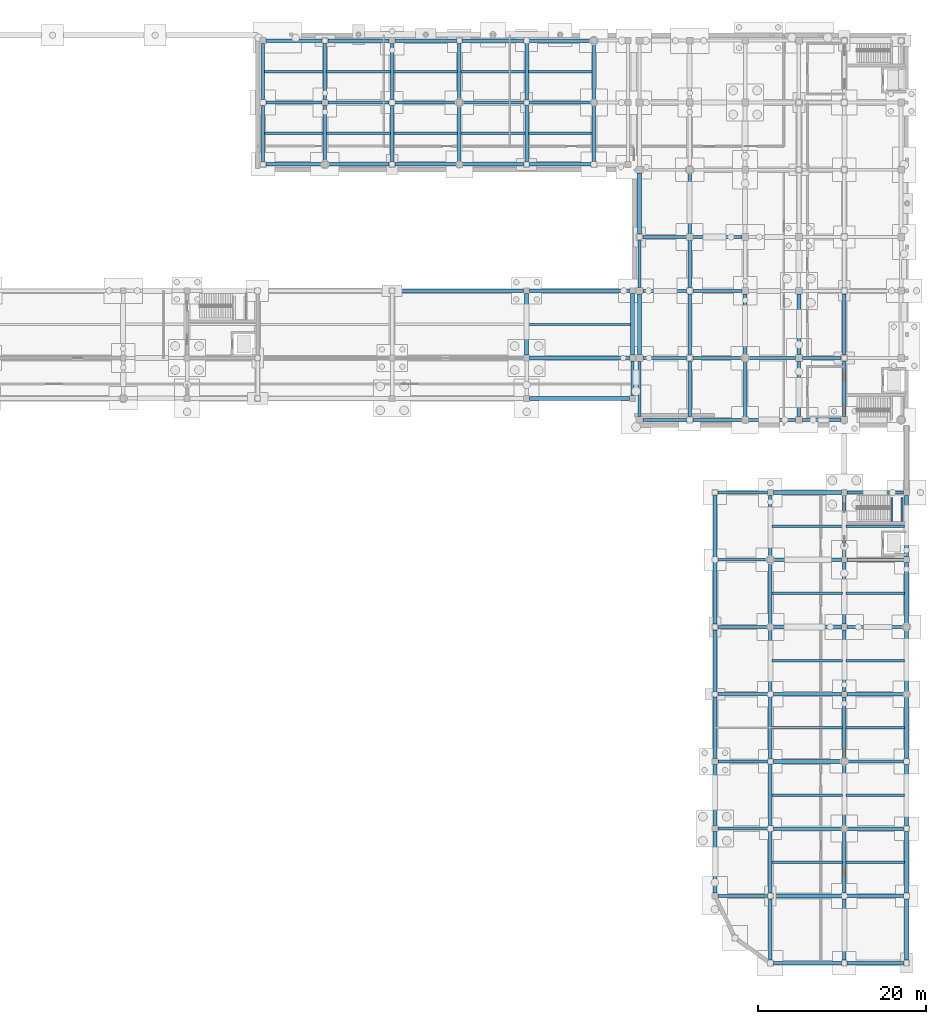
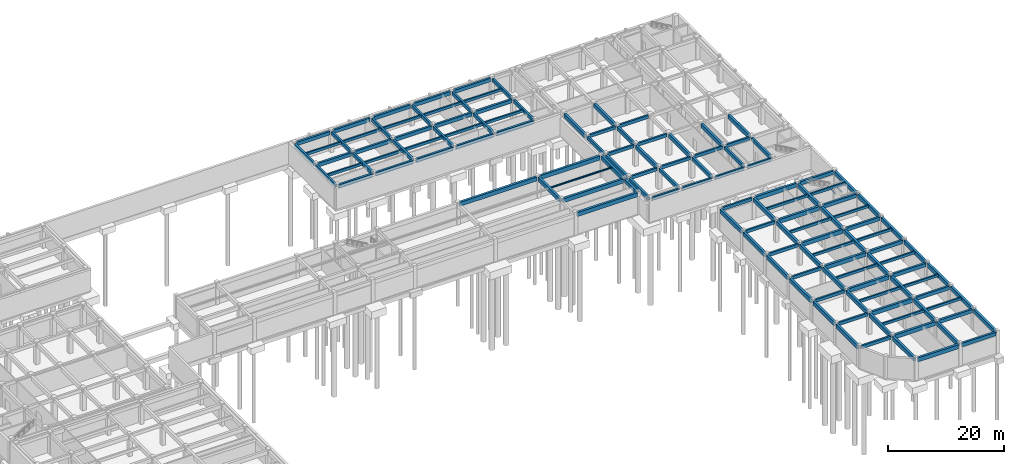
# One storey, part 18 of 35: 135 beams.
"""IFC4 building model written with IfcOpenShell, lengths in metres."""

import ifcopenshell
import ifcopenshell.guid

model = None  # the IFC model being written
_history = None  # IfcOwnerHistory: only IFC2X3 demands one
_inside = {}  # id of a spatial element -> (the spatial element, [elements in it])
_under = {}  # id of a project, library or spatial element -> (it, [spatial elements below it])
_declared = {}  # id of a project -> (the project, [libraries it declares])
_typed = {}  # id of a type object -> (the type object, [elements of that type])
_made_of = {}  # id of a material, layer set ... -> (it, [elements and type objects made of it])


def new_model(schema):
    """Start an empty IFC model of exactly this schema.

    Asked for "IFC4X3", IfcOpenShell would pick the latest addendum, in which some entities
    have other attributes; the version numbers below select the first issue.
    IFC2X3 requires an IfcOwnerHistory on every rooted entity: one is made here for all.
    """
    global model, _history
    if schema == "IFC4X3":
        model = ifcopenshell.file(schema_version=(4, 3, 0, 0))
    else:
        model = ifcopenshell.file(schema=schema)
    _inside.clear()
    _under.clear()
    _declared.clear()
    _typed.clear()
    _made_of.clear()
    _history = None
    if model.schema == "IFC2X3":
        org = make("IfcOrganization", Name="unknown")
        user = make(
            "IfcPersonAndOrganization",
            ThePerson=make("IfcPerson", FamilyName="unknown"),
            TheOrganization=org,
        )
        app = make(
            "IfcApplication",
            ApplicationDeveloper=org,
            Version="unknown",
            ApplicationFullName="unknown",
            ApplicationIdentifier="unknown",
        )
        _history = make(
            "IfcOwnerHistory",
            OwningUser=user,
            OwningApplication=app,
            ChangeAction="ADDED",
            CreationDate=0,
        )
    return model


def make(cls, **values):
    """One entity of the class cls with the attributes given. An attribute that is None is left unset."""
    return model.create_entity(
        cls, **{name: value for name, value in values.items() if value is not None}
    )


def rooted(cls, **values):
    """An entity with a GlobalId (a new one), such as an element, a storey or a relation."""
    return make(cls, GlobalId=ifcopenshell.guid.new(), OwnerHistory=_history, **values)


def si_unit(unit_type, name, prefix=None):
    """IfcSIUnit, for example si_unit("LENGTHUNIT", "METRE", prefix="MILLI")."""
    return make("IfcSIUnit", UnitType=unit_type, Prefix=prefix, Name=name)


def assignment(units):
    """IfcUnitAssignment: the units of a project."""
    return None if units is None else make("IfcUnitAssignment", Units=units)


def point(xyz):
    """IfcCartesianPoint."""
    return None if xyz is None else make("IfcCartesianPoint", Coordinates=xyz)


def direction(xyz):
    """IfcDirection."""
    return None if xyz is None else make("IfcDirection", DirectionRatios=xyz)


def frame(location, z_axis=None, x_axis=None):
    """IfcAxis2Placement3D, a coordinate frame: its origin and axes. An axis left out is left unset."""
    return make(
        "IfcAxis2Placement3D",
        Location=point(location),
        Axis=direction(z_axis),
        RefDirection=direction(x_axis),
    )


def frame_2d(location, x_axis=None):
    """IfcAxis2Placement2D, a coordinate frame in the plane: its origin and x axis."""
    return make(
        "IfcAxis2Placement2D", Location=point(location), RefDirection=direction(x_axis)
    )


def origin():
    """The frame at (0, 0, 0) with its axes left unset."""
    return frame((0.0, 0.0, 0.0))


def origin_2d():
    """The frame at (0, 0) in the plane with its x axis left unset."""
    return frame_2d((0.0, 0.0))


def place(relative_to, where):
    """IfcLocalPlacement: puts the frame where relative to a parent placement (None: the world)."""
    return make(
        "IfcLocalPlacement", PlacementRelTo=relative_to, RelativePlacement=where
    )


def context(
    kind, dimensions, precision=None, world=None, true_north=None, identifier=None
):
    """IfcGeometricRepresentationContext, for example the 3D "Model" context."""
    return make(
        "IfcGeometricRepresentationContext",
        ContextIdentifier=identifier,
        ContextType=kind,
        CoordinateSpaceDimension=dimensions,
        Precision=precision,
        WorldCoordinateSystem=world,
        TrueNorth=true_north,
    )


def subcontext(parent, identifier, kind, view, scale=None):
    """IfcGeometricRepresentationSubContext, for example "Body" below "Model"."""
    return make(
        "IfcGeometricRepresentationSubContext",
        ContextIdentifier=identifier,
        ContextType=kind,
        ParentContext=parent,
        TargetScale=scale,
        TargetView=view,
    )


def project(units=None, contexts=None):
    """IfcProject with its units and contexts."""
    return rooted(
        "IfcProject",
        Name="project",
        RepresentationContexts=contexts,
        UnitsInContext=assignment(units),
    )


def spatial(cls, under=None, at=None, **own):
    """A site, building, storey or space (cls), placed at a placement, below another one or the project."""
    s = rooted(cls, ObjectPlacement=at, **own)
    if under is not None:
        _under.setdefault(under.id(), (under, []))[1].append(s)
    return s


def profile(cls, at=None, kind="AREA", **sizes):
    """A parametric profile (cls). Its sizes go by their IFC names, for example OverallWidth=200.0."""
    return make(cls, ProfileType=kind, Position=at, **sizes)


def rectangle(**sizes):
    """IfcRectangleProfileDef."""
    return profile("IfcRectangleProfileDef", **sizes)


def i_section(**sizes):
    """IfcIShapeProfileDef."""
    return profile("IfcIShapeProfileDef", **sizes)


def extrude(swept, where, along, depth):
    """IfcExtrudedAreaSolid: the profile swept, set in the frame where, extruded along a direction by depth."""
    return make(
        "IfcExtrudedAreaSolid",
        SweptArea=swept,
        Position=where,
        ExtrudedDirection=direction(along),
        Depth=depth,
    )


def shape(context_of_items, identifier, shape_type, items):
    """IfcShapeRepresentation: the items that make up one representation, for example the "Body"."""
    return make(
        "IfcShapeRepresentation",
        ContextOfItems=context_of_items,
        RepresentationIdentifier=identifier,
        RepresentationType=shape_type,
        Items=items,
    )


def material(Name=None, Category=None):
    """IfcMaterial."""
    return make("IfcMaterial", Name=Name, Category=Category)


def material_profile(
    of_material, cross_section, Name=None, Category=None, Priority=None
):
    """IfcMaterialProfile: a cross section and its material."""
    return make(
        "IfcMaterialProfile",
        Name=Name,
        Material=of_material,
        Profile=cross_section,
        Priority=Priority,
        Category=Category,
    )


def profile_set(profiles, Name=None, composite=None):
    """IfcMaterialProfileSet."""
    return make(
        "IfcMaterialProfileSet",
        Name=Name,
        MaterialProfiles=profiles,
        CompositeProfile=composite,
    )


def made_of(thing, what):
    """Note that an element or type object is made of a material, layer set ...; save() writes the relation."""
    if what is not None:
        _made_of.setdefault(what.id(), (what, []))[1].append(thing)
    return thing


def type_object(cls, material=None, **own):
    """A type object (cls), such as IfcWallType, which elements share."""
    return made_of(rooted(cls, **own), material)


def element(
    cls,
    number,
    at=None,
    inside=None,
    cuts=None,
    type_object=None,
    material=None,
    context=None,
    identifier="Body",
    shape_type=None,
    held_by="IfcProductDefinitionShape",
    body=None,
    shapes=None,
    **own,
):
    """One element of the class cls, such as IfcWall. Its Tag is "e" and its number.

    at: its placement. inside: the storey or other place that contains it. cuts: it is an
    opening in that element (IfcRelVoidsElement). A single representation is given by context,
    identifier, shape_type and body (its items); several are given by shapes. held_by: the class
    of the entity that holds the representations. save() writes the other relations.
    """
    e = rooted(cls, Tag="e%d" % number, ObjectPlacement=at, **own)
    if body is not None:
        shapes = [shape(context, identifier, shape_type, body)]
    if shapes is not None:
        e.Representation = make(held_by, Representations=shapes)
    if inside is not None:
        _inside.setdefault(inside.id(), (inside, []))[1].append(e)
    if cuts is not None:
        rooted(
            "IfcRelVoidsElement", RelatingBuildingElement=cuts, RelatedOpeningElement=e
        )
    if type_object is not None:
        _typed.setdefault(type_object.id(), (type_object, []))[1].append(e)
    return made_of(e, material)


def aggregate(whole, parts):
    """IfcRelAggregates: a whole, such as a stair, and the parts it consists of."""
    return rooted("IfcRelAggregates", RelatingObject=whole, RelatedObjects=parts)


def save(model, path):
    """Write the relations noted so far, then the file.

    IfcRelAggregates (storeys below a building ...), IfcRelContainedInSpatialStructure (elements
    in a storey), IfcRelDefinesByType, IfcRelAssociatesMaterial and IfcRelDeclares: one each for
    every whole, place, type object, material and project.
    """
    for whole, parts in _under.values():
        aggregate(whole, parts)
    for where, things in _inside.values():
        rooted(
            "IfcRelContainedInSpatialStructure",
            RelatedElements=things,
            RelatingStructure=where,
        )
    for kind, things in _typed.values():
        rooted("IfcRelDefinesByType", RelatedObjects=things, RelatingType=kind)
    for what, things in _made_of.values():
        rooted("IfcRelAssociatesMaterial", RelatedObjects=things, RelatingMaterial=what)
    for by, libraries in _declared.values():
        rooted("IfcRelDeclares", RelatingContext=by, RelatedDefinitions=libraries)
    model.write(path)


model = new_model("IFC4")

# Units and contexts
model_context = context("Model", 3, precision=1e-05, world=origin(), true_north=direction((0.0, 1.0)))
body_context = subcontext(model_context, "Body", "Model", "MODEL_VIEW")
ifc_project = project(units=[si_unit("LENGTHUNIT", "METRE"), si_unit("AREAUNIT", "SQUARE_METRE"), si_unit("VOLUMEUNIT", "CUBIC_METRE"), si_unit("PLANEANGLEUNIT", "RADIAN"), si_unit("MASSUNIT", "GRAM", prefix="KILO")], contexts=[model_context])

# Site, building, storey
site_placement = place(None, origin())
site = spatial("IfcSite", under=ifc_project, at=site_placement, CompositionType="ELEMENT")
building_placement = place(site_placement, origin())
building = spatial("IfcBuilding", under=site, at=building_placement, Name="Cinchona Park Media Centre", CompositionType="ELEMENT")
storey_placement = place(building_placement, frame((0.0, 0.0, -4.800048828125)))
storey = spatial("IfcBuildingStorey", under=building, at=storey_placement, Name="B1", CompositionType="ELEMENT", Elevation=-4.800048828125)

# Beams
ifc_material_1 = material(Name="Concrete C35/45", Category="concrete")
ifc_material_profile_1 = material_profile(ifc_material_1, rectangle(XDim=0.39990234375, YDim=0.75, at=origin_2d()), Name="RB 400X750")
ifc_profile_set_1 = profile_set([ifc_material_profile_1], Name="Concrete C35/45")
beam_type_1 = type_object("IfcBeamType", Name="BEAM-B01-RB400X750", PredefinedType="BEAM", material=ifc_profile_set_1)
beam_1_placement = place(storey_placement, frame((95.7900390625, 102.639892578125, 4.074951171875), z_axis=(1.0, 0.0, 0.0), x_axis=(0.0, 1.0, 0.0)))
element("IfcBeam", 1, at=beam_1_placement, inside=storey, type_object=beam_type_1, Name="Beam B01 B1", PredefinedType="BEAM", context=body_context, shape_type="SweptSolid", body=[
    extrude(rectangle(XDim=0.39990234375, YDim=0.75, at=origin_2d()), origin(), (0.0, 0.0, 1.0), 6.659912109375),
])
for number, where, z_axis, x_axis, name in (
    (2, (103.14990234375, 102.639892578125, 4.074951171875), (1.0, 0.0, 0.0), (0.0, 1.0, 0.0), "Beam B01 B1"),
    (3, (111.14990234375, 102.639892578125, 4.074951171875), (1.0, 0.0, 0.0), (0.0, 1.0, 0.0), "Beam B01 B1"),
    (4, (119.14990234375, 102.639892578125, 4.074951171875), (1.0, 0.0, 0.0), (0.0, 1.0, 0.0), "Beam B01 B1"),
    (5, (127.14990234375, 102.639892578125, 4.074951171875), (1.0, 0.0, 0.0), (0.0, 1.0, 0.0), "Beam B01 B1"),
):
    element("IfcBeam", number, at=place(storey_placement, frame(where, z_axis=z_axis, x_axis=x_axis)), inside=storey, type_object=beam_type_1, Name=name, PredefinedType="BEAM", context=body_context, shape_type="SweptSolid", body=[
        extrude(rectangle(XDim=0.39990234375, YDim=0.75, at=origin_2d()), origin(), (0.0, 0.0, 1.0), 7.300048828125),
    ])
beam_2_placement = place(storey_placement, frame((95.7900390625, 110.0, 4.074951171875), z_axis=(1.0, 0.0, 0.0), x_axis=(0.0, 1.0, 0.0)))
element("IfcBeam", 6, at=beam_2_placement, inside=storey, type_object=beam_type_1, Name="Beam B01 B1", PredefinedType="BEAM", context=body_context, shape_type="SweptSolid", body=[
    extrude(rectangle(XDim=0.39990234375, YDim=0.75, at=origin_2d()), origin(), (0.0, 0.0, 1.0), 6.659912109375),
])
for number, where, z_axis, x_axis, name in (
    (7, (103.14990234375, 110.0, 4.074951171875), (1.0, 0.0, 0.0), (0.0, 1.0, 0.0), "Beam B01 B1"),
    (8, (111.14990234375, 110.0, 4.074951171875), (1.0, 0.0, 0.0), (0.0, 1.0, 0.0), "Beam B01 B1"),
    (9, (119.14990234375, 110.0, 4.074951171875), (1.0, 0.0, 0.0), (0.0, 1.0, 0.0), "Beam B01 B1"),
    (10, (127.14990234375, 110.0, 4.074951171875), (1.0, 0.0, 0.0), (0.0, 1.0, 0.0), "Beam B01 B1"),
):
    element("IfcBeam", number, at=place(storey_placement, frame(where, z_axis=z_axis, x_axis=x_axis)), inside=storey, type_object=beam_type_1, Name=name, PredefinedType="BEAM", context=body_context, shape_type="SweptSolid", body=[
        extrude(rectangle(XDim=0.39990234375, YDim=0.75, at=origin_2d()), origin(), (0.0, 0.0, 1.0), 7.300048828125),
    ])
beam_3_placement = place(storey_placement, frame((95.7900390625, 117.360107421875, 4.074951171875), z_axis=(1.0, 0.0, 0.0), x_axis=(0.0, 1.0, 0.0)))
element("IfcBeam", 11, at=beam_3_placement, inside=storey, type_object=beam_type_1, Name="Beam B01 B1", PredefinedType="BEAM", context=body_context, shape_type="SweptSolid", body=[
    extrude(rectangle(XDim=0.39990234375, YDim=0.75, at=origin_2d()), origin(), (0.0, 0.0, 1.0), 6.659912109375),
])
for number, where, z_axis, x_axis, name in (
    (12, (103.14990234375, 117.360107421875, 4.074951171875), (1.0, 0.0, 0.0), (0.0, 1.0, 0.0), "Beam B01 B1"),
    (13, (111.14990234375, 117.360107421875, 4.074951171875), (1.0, 0.0, 0.0), (0.0, 1.0, 0.0), "Beam B01 B1"),
    (14, (119.14990234375, 117.360107421875, 4.074951171875), (1.0, 0.0, 0.0), (0.0, 1.0, 0.0), "Beam B01 B1"),
    (15, (127.14990234375, 117.360107421875, 4.074951171875), (1.0, 0.0, 0.0), (0.0, 1.0, 0.0), "Beam B01 B1"),
):
    element("IfcBeam", number, at=place(storey_placement, frame(where, z_axis=z_axis, x_axis=x_axis)), inside=storey, type_object=beam_type_1, Name=name, PredefinedType="BEAM", context=body_context, shape_type="SweptSolid", body=[
        extrude(rectangle(XDim=0.39990234375, YDim=0.75, at=origin_2d()), origin(), (0.0, 0.0, 1.0), 7.300048828125),
    ])
for number, where, z_axis, x_axis, name in (
    (16, (95.43994140625, 102.989990234375, 4.074951171875), (0.0, 1.0, 0.0), (-1.0, 0.0, 0.0), "Girder B01 B1"),
    (17, (95.43994140625, 110.35009765625, 4.074951171875), (0.0, 1.0, 0.0), (-1.0, 0.0, 0.0), "Girder B01 B1"),
    (18, (102.800048828125, 102.989990234375, 4.074951171875), (0.0, 1.0, 0.0), (-1.0, 0.0, 0.0), "Girder B01 B1"),
    (19, (102.800048828125, 110.35009765625, 4.074951171875), (0.0, 1.0, 0.0), (-1.0, 0.0, 0.0), "Girder B01 B1"),
    (20, (110.800048828125, 102.989990234375, 4.074951171875), (0.0, 1.0, 0.0), (-1.0, 0.0, 0.0), "Girder B01 B1"),
    (21, (110.800048828125, 110.35009765625, 4.074951171875), (0.0, 1.0, 0.0), (-1.0, 0.0, 0.0), "Girder B01 B1"),
    (22, (118.800048828125, 102.989990234375, 4.074951171875), (0.0, 1.0, 0.0), (-1.0, 0.0, 0.0), "Girder B01 B1"),
    (23, (118.800048828125, 110.35009765625, 4.074951171875), (0.0, 1.0, 0.0), (-1.0, 0.0, 0.0), "Girder B01 B1"),
    (24, (126.800048828125, 102.989990234375, 4.074951171875), (0.0, 1.0, 0.0), (-1.0, 0.0, 0.0), "Girder B01 B1"),
    (25, (126.800048828125, 110.35009765625, 4.074951171875), (0.0, 1.0, 0.0), (-1.0, 0.0, 0.0), "Girder B01 B1"),
    (26, (134.800048828125, 102.989990234375, 4.074951171875), (0.0, 1.0, 0.0), (-1.0, 0.0, 0.0), "Girder B01 B1"),
    (27, (134.800048828125, 110.35009765625, 4.074951171875), (0.0, 1.0, 0.0), (-1.0, 0.0, 0.0), "Girder B01 B1"),
):
    element("IfcBeam", number, at=place(storey_placement, frame(where, z_axis=z_axis, x_axis=x_axis)), inside=storey, type_object=beam_type_1, Name=name, PredefinedType="BEAM", context=body_context, shape_type="SweptSolid", body=[
        extrude(rectangle(XDim=0.39990234375, YDim=0.75, at=origin_2d()), origin(), (0.0, 0.0, 1.0), 6.659912109375),
    ])
beam_4_placement = place(storey_placement, frame((139.39990234375, 75.14990234375, 4.14501953125), z_axis=(0.0, 1.0, 0.0), x_axis=(-1.0, 0.0, 0.0)))
element("IfcBeam", 28, at=beam_4_placement, inside=storey, type_object=beam_type_1, Name="Girder B01 B1", PredefinedType="BEAM", context=body_context, shape_type="SweptSolid", body=[
    extrude(rectangle(XDim=0.39990234375, YDim=0.75, at=origin_2d()), origin(), (0.0, 0.0, 1.0), 4.10009765625),
])
for number, where, z_axis, x_axis, name in (
    (29, (164.949951171875, 7.60009765625, 4.125), (1.0, 0.0, 0.0), (0.0, 1.0, 0.0), "Beam B01 B1"),
    (30, (164.949951171875, 15.60009765625, 4.125), (1.0, 0.0, 0.0), (0.0, 1.0, 0.0), "Beam B01 B1"),
    (31, (164.949951171875, 23.60009765625, 4.125), (1.0, 0.0, 0.0), (0.0, 1.0, 0.0), "Beam B01 B1"),
    (32, (164.949951171875, 31.60009765625, 4.125), (1.0, 0.0, 0.0), (0.0, 1.0, 0.0), "Beam B01 B1"),
    (33, (164.949951171875, 39.60009765625, 4.125), (1.0, 0.0, 0.0), (0.0, 1.0, 0.0), "Beam B01 B1"),
    (34, (164.949951171875, 47.60009765625, 4.125), (1.0, 0.0, 0.0), (0.0, 1.0, 0.0), "Beam B01 B1"),
    (35, (164.949951171875, 55.60009765625, 4.125), (1.0, 0.0, 0.0), (0.0, 1.0, 0.0), "Beam B01 B1"),
    (36, (164.949951171875, 63.60009765625, 4.125), (1.0, 0.0, 0.0), (0.0, 1.0, 0.0), "Beam B01 B1"),
):
    element("IfcBeam", number, at=place(storey_placement, frame(where, z_axis=z_axis, x_axis=x_axis)), inside=storey, type_object=beam_type_1, Name=name, PredefinedType="BEAM", context=body_context, shape_type="SweptSolid", body=[
        extrude(rectangle(XDim=0.39990234375, YDim=0.75, at=origin_2d()), origin(), (0.0, 0.0, 1.0), 6.699951171875),
    ])
beam_5_placement = place(storey_placement, frame((140.239990234375, 72.639892578125, 4.125), z_axis=(0.0, 1.0, 0.0), x_axis=(-1.0, 0.0, 0.0)))
element("IfcBeam", 37, at=beam_5_placement, inside=storey, type_object=beam_type_1, Name="Girder B01 B1", PredefinedType="BEAM", context=body_context, shape_type="SweptSolid", body=[
    extrude(rectangle(XDim=0.39990234375, YDim=0.75, at=origin_2d()), origin(), (0.0, 0.0, 1.0), 6.56005859375),
])
beam_6_placement = place(storey_placement, frame((140.239990234375, 88.0, 4.125), z_axis=(0.0, 1.0, 0.0), x_axis=(-1.0, 0.0, 0.0)))
element("IfcBeam", 38, at=beam_6_placement, inside=storey, type_object=beam_type_1, Name="Girder B01 B1", PredefinedType="BEAM", context=body_context, shape_type="SweptSolid", body=[
    extrude(rectangle(XDim=0.39990234375, YDim=0.75, at=origin_2d()), origin(), (0.0, 0.0, 1.0), 5.60009765625),
])
beam_7_placement = place(storey_placement, frame((146.199951171875, 72.639892578125, 4.125), z_axis=(0.0, 1.0, 0.0), x_axis=(-1.0, 0.0, 0.0)))
element("IfcBeam", 39, at=beam_7_placement, inside=storey, type_object=beam_type_1, Name="Girder B01 B1", PredefinedType="BEAM", context=body_context, shape_type="SweptSolid", body=[
    extrude(rectangle(XDim=0.39990234375, YDim=0.75, at=origin_2d()), origin(), (0.0, 0.0, 1.0), 6.56005859375),
])
beam_8_placement = place(storey_placement, frame((146.199951171875, 88.0, 4.125), z_axis=(0.0, 1.0, 0.0), x_axis=(-1.0, 0.0, 0.0)))
element("IfcBeam", 40, at=beam_8_placement, inside=storey, type_object=beam_type_1, Name="Girder B01 B1", PredefinedType="BEAM", context=body_context, shape_type="SweptSolid", body=[
    extrude(rectangle(XDim=0.39990234375, YDim=0.75, at=origin_2d()), origin(), (0.0, 0.0, 1.0), 5.60009765625),
])
for number, where, z_axis, x_axis, name in (
    (41, (152.800048828125, 72.639892578125, 4.125), (0.0, 1.0, 0.0), (-1.0, 0.0, 0.0), "Girder B01 B1"),
    (42, (159.199951171875, 72.639892578125, 4.125), (0.0, 1.0, 0.0), (-1.0, 0.0, 0.0), "Girder B01 B1"),
    (43, (164.60009765625, 72.639892578125, 4.125), (0.0, 1.0, 0.0), (-1.0, 0.0, 0.0), "Girder B01 B1"),
):
    element("IfcBeam", number, at=place(storey_placement, frame(where, z_axis=z_axis, x_axis=x_axis)), inside=storey, type_object=beam_type_1, Name=name, PredefinedType="BEAM", context=body_context, shape_type="SweptSolid", body=[
        extrude(rectangle(XDim=0.39990234375, YDim=0.75, at=origin_2d()), origin(), (0.0, 0.0, 1.0), 6.56005859375),
    ])
ifc_material_2 = material(Name="Concrete C35/45", Category="concrete")
ifc_material_profile_2 = material_profile(ifc_material_2, rectangle(XDim=0.449951171875, YDim=0.85009765625, at=origin_2d()), Name="RB 450X850")
ifc_profile_set_2 = profile_set([ifc_material_profile_2], Name="Concrete C35/45")
beam_type_2 = type_object("IfcBeamType", Name="BEAM-B02-RB450X850", PredefinedType="BEAM", material=ifc_profile_set_2)
for number, where, z_axis, x_axis, name in (
    (44, (127.14990234375, 74.800048828125, 4.094970703125), (1.0, 0.0, 0.0), (0.0, 1.0, 0.0), "Beam B02 B1"),
    (45, (127.14990234375, 79.60009765625, 4.094970703125), (1.0, 0.0, 0.0), (0.0, 1.0, 0.0), "Beam B02 B1"),
):
    element("IfcBeam", number, at=place(storey_placement, frame(where, z_axis=z_axis, x_axis=x_axis)), inside=storey, type_object=beam_type_2, Name=name, PredefinedType="BEAM", context=body_context, shape_type="SweptSolid", body=[
        extrude(rectangle(XDim=0.449951171875, YDim=0.85009765625, at=origin_2d()), origin(), (0.0, 0.0, 1.0), 11.900146484375),
    ])
beam_9_placement = place(storey_placement, frame((111.14990234375, 87.60009765625, 4.094970703125), z_axis=(1.0, 0.0, 0.0), x_axis=(0.0, 1.0, 0.0)))
element("IfcBeam", 46, at=beam_9_placement, inside=storey, type_object=beam_type_2, Name="Beam B02 B1", PredefinedType="BEAM", context=body_context, shape_type="SweptSolid", body=[
    extrude(rectangle(XDim=0.449951171875, YDim=0.85009765625, at=origin_2d()), origin(), (0.0, 0.0, 1.0), 15.300048828125),
])
beam_10_placement = place(storey_placement, frame((127.14990234375, 87.60009765625, 4.094970703125), z_axis=(1.0, 0.0, 0.0), x_axis=(0.0, 1.0, 0.0)))
element("IfcBeam", 47, at=beam_10_placement, inside=storey, type_object=beam_type_2, Name="Beam B02 B1", PredefinedType="BEAM", context=body_context, shape_type="SweptSolid", body=[
    extrude(rectangle(XDim=0.449951171875, YDim=0.85009765625, at=origin_2d()), origin(), (0.0, 0.0, 1.0), 11.900146484375),
])
for number, where, z_axis, x_axis, name in (
    (48, (126.800048828125, 79.949951171875, 4.094970703125), (0.0, 1.0, 0.0), (-1.0, 0.0, 0.0), "Girder B02 B1"),
    (49, (139.39990234375, 79.949951171875, 4.094970703125), (0.0, 1.0, 0.0), (-1.0, 0.0, 0.0), "Girder B02 B1"),
):
    element("IfcBeam", number, at=place(storey_placement, frame(where, z_axis=z_axis, x_axis=x_axis)), inside=storey, type_object=beam_type_2, Name=name, PredefinedType="BEAM", context=body_context, shape_type="SweptSolid", body=[
        extrude(rectangle(XDim=0.449951171875, YDim=0.85009765625, at=origin_2d()), origin(), (0.0, 0.0, 1.0), 7.300048828125),
    ])
for number, where, z_axis, x_axis, name in (
    (50, (156.14990234375, 7.60009765625, 4.074951171875), (1.0, 0.0, 0.0), (0.0, 1.0, 0.0), "Beam B02 B1"),
    (51, (156.14990234375, 15.60009765625, 4.074951171875), (1.0, 0.0, 0.0), (0.0, 1.0, 0.0), "Beam B02 B1"),
    (52, (156.14990234375, 23.60009765625, 4.074951171875), (1.0, 0.0, 0.0), (0.0, 1.0, 0.0), "Beam B02 B1"),
    (53, (156.14990234375, 31.60009765625, 4.074951171875), (1.0, 0.0, 0.0), (0.0, 1.0, 0.0), "Beam B02 B1"),
    (54, (156.14990234375, 39.60009765625, 4.074951171875), (1.0, 0.0, 0.0), (0.0, 1.0, 0.0), "Beam B02 B1"),
    (55, (156.14990234375, 47.60009765625, 4.074951171875), (1.0, 0.0, 0.0), (0.0, 1.0, 0.0), "Beam B02 B1"),
    (56, (156.14990234375, 55.60009765625, 4.074951171875), (1.0, 0.0, 0.0), (0.0, 1.0, 0.0), "Beam B02 B1"),
    (57, (156.14990234375, 63.60009765625, 4.074951171875), (1.0, 0.0, 0.0), (0.0, 1.0, 0.0), "Beam B02 B1"),
):
    element("IfcBeam", number, at=place(storey_placement, frame(where, z_axis=z_axis, x_axis=x_axis)), inside=storey, type_object=beam_type_2, Name=name, PredefinedType="BEAM", context=body_context, shape_type="SweptSolid", body=[
        extrude(rectangle(XDim=0.449951171875, YDim=0.85009765625, at=origin_2d()), origin(), (0.0, 0.0, 1.0), 8.10009765625),
    ])
for number, where, z_axis, x_axis, name in (
    (58, (149.199951171875, 15.949951171875, 4.074951171875), (0.0, 1.0, 0.0), (-1.0, 0.0, 0.0), "Girder B02 B1"),
    (59, (149.199951171875, 23.949951171875, 4.074951171875), (0.0, 1.0, 0.0), (-1.0, 0.0, 0.0), "Girder B02 B1"),
    (60, (149.199951171875, 31.949951171875, 4.074951171875), (0.0, 1.0, 0.0), (-1.0, 0.0, 0.0), "Girder B02 B1"),
    (61, (149.199951171875, 39.949951171875, 4.074951171875), (0.0, 1.0, 0.0), (-1.0, 0.0, 0.0), "Girder B02 B1"),
    (62, (149.199951171875, 47.949951171875, 4.074951171875), (0.0, 1.0, 0.0), (-1.0, 0.0, 0.0), "Girder B02 B1"),
    (63, (149.199951171875, 55.949951171875, 4.074951171875), (0.0, 1.0, 0.0), (-1.0, 0.0, 0.0), "Girder B02 B1"),
    (64, (155.800048828125, 7.949951171875, 4.074951171875), (0.0, 1.0, 0.0), (-1.0, 0.0, 0.0), "Girder B02 B1"),
    (65, (155.800048828125, 15.949951171875, 4.074951171875), (0.0, 1.0, 0.0), (-1.0, 0.0, 0.0), "Girder B02 B1"),
    (66, (155.800048828125, 23.949951171875, 4.074951171875), (0.0, 1.0, 0.0), (-1.0, 0.0, 0.0), "Girder B02 B1"),
    (67, (155.800048828125, 31.949951171875, 4.074951171875), (0.0, 1.0, 0.0), (-1.0, 0.0, 0.0), "Girder B02 B1"),
    (68, (155.800048828125, 39.949951171875, 4.074951171875), (0.0, 1.0, 0.0), (-1.0, 0.0, 0.0), "Girder B02 B1"),
    (69, (155.800048828125, 47.949951171875, 4.074951171875), (0.0, 1.0, 0.0), (-1.0, 0.0, 0.0), "Girder B02 B1"),
    (70, (155.800048828125, 55.949951171875, 4.074951171875), (0.0, 1.0, 0.0), (-1.0, 0.0, 0.0), "Girder B02 B1"),
    (71, (164.60009765625, 7.949951171875, 4.074951171875), (0.0, 1.0, 0.0), (-1.0, 0.0, 0.0), "Girder B02 B1"),
    (72, (164.60009765625, 15.949951171875, 4.074951171875), (0.0, 1.0, 0.0), (-1.0, 0.0, 0.0), "Girder B02 B1"),
    (73, (164.60009765625, 23.949951171875, 4.074951171875), (0.0, 1.0, 0.0), (-1.0, 0.0, 0.0), "Girder B02 B1"),
    (74, (164.60009765625, 31.949951171875, 4.074951171875), (0.0, 1.0, 0.0), (-1.0, 0.0, 0.0), "Girder B02 B1"),
    (75, (164.60009765625, 39.949951171875, 4.074951171875), (0.0, 1.0, 0.0), (-1.0, 0.0, 0.0), "Girder B02 B1"),
    (76, (164.60009765625, 47.949951171875, 4.074951171875), (0.0, 1.0, 0.0), (-1.0, 0.0, 0.0), "Girder B02 B1"),
    (77, (164.60009765625, 55.949951171875, 4.074951171875), (0.0, 1.0, 0.0), (-1.0, 0.0, 0.0), "Girder B02 B1"),
    (78, (172.0, 7.949951171875, 4.074951171875), (0.0, 1.0, 0.0), (-1.0, 0.0, 0.0), "Girder B02 B1"),
    (79, (172.0, 15.949951171875, 4.074951171875), (0.0, 1.0, 0.0), (-1.0, 0.0, 0.0), "Girder B02 B1"),
    (80, (172.0, 23.949951171875, 4.074951171875), (0.0, 1.0, 0.0), (-1.0, 0.0, 0.0), "Girder B02 B1"),
    (81, (172.0, 31.949951171875, 4.074951171875), (0.0, 1.0, 0.0), (-1.0, 0.0, 0.0), "Girder B02 B1"),
    (82, (172.0, 39.949951171875, 4.074951171875), (0.0, 1.0, 0.0), (-1.0, 0.0, 0.0), "Girder B02 B1"),
    (83, (172.0, 47.949951171875, 4.074951171875), (0.0, 1.0, 0.0), (-1.0, 0.0, 0.0), "Girder B02 B1"),
    (84, (172.0, 55.949951171875, 4.074951171875), (0.0, 1.0, 0.0), (-1.0, 0.0, 0.0), "Girder B02 B1"),
):
    element("IfcBeam", number, at=place(storey_placement, frame(where, z_axis=z_axis, x_axis=x_axis)), inside=storey, type_object=beam_type_2, Name=name, PredefinedType="BEAM", context=body_context, shape_type="SweptSolid", body=[
        extrude(rectangle(XDim=0.449951171875, YDim=0.85009765625, at=origin_2d()), origin(), (0.0, 0.0, 1.0), 7.300048828125),
    ])
beam_11_placement = place(storey_placement, frame((140.239990234375, 80.0, 4.074951171875), z_axis=(0.0, 1.0, 0.0), x_axis=(-1.0, 0.0, 0.0)))
element("IfcBeam", 85, at=beam_11_placement, inside=storey, type_object=beam_type_2, Name="Girder B02 B1", PredefinedType="BEAM", context=body_context, shape_type="SweptSolid", body=[
    extrude(rectangle(XDim=0.449951171875, YDim=0.85009765625, at=origin_2d()), origin(), (0.0, 0.0, 1.0), 7.199951171875),
])
beam_12_placement = place(storey_placement, frame((140.239990234375, 94.39990234375, 4.074951171875), z_axis=(0.0, 1.0, 0.0), x_axis=(-1.0, 0.0, 0.0)))
element("IfcBeam", 86, at=beam_12_placement, inside=storey, type_object=beam_type_2, Name="Girder B02 B1", PredefinedType="BEAM", context=body_context, shape_type="SweptSolid", body=[
    extrude(rectangle(XDim=0.449951171875, YDim=0.85009765625, at=origin_2d()), origin(), (0.0, 0.0, 1.0), 7.2001953125),
])
beam_13_placement = place(storey_placement, frame((146.199951171875, 80.0, 4.074951171875), z_axis=(0.0, 1.0, 0.0), x_axis=(-1.0, 0.0, 0.0)))
element("IfcBeam", 87, at=beam_13_placement, inside=storey, type_object=beam_type_2, Name="Girder B02 B1", PredefinedType="BEAM", context=body_context, shape_type="SweptSolid", body=[
    extrude(rectangle(XDim=0.449951171875, YDim=0.85009765625, at=origin_2d()), origin(), (0.0, 0.0, 1.0), 7.199951171875),
])
beam_14_placement = place(storey_placement, frame((146.199951171875, 94.39990234375, 4.074951171875), z_axis=(0.0, 1.0, 0.0), x_axis=(-1.0, 0.0, 0.0)))
element("IfcBeam", 88, at=beam_14_placement, inside=storey, type_object=beam_type_2, Name="Girder B02 B1", PredefinedType="BEAM", context=body_context, shape_type="SweptSolid", body=[
    extrude(rectangle(XDim=0.449951171875, YDim=0.85009765625, at=origin_2d()), origin(), (0.0, 0.0, 1.0), 7.2001953125),
])
for number, where, z_axis, x_axis, name in (
    (89, (152.800048828125, 80.0, 4.074951171875), (0.0, 1.0, 0.0), (-1.0, 0.0, 0.0), "Girder B02 B1"),
    (90, (159.199951171875, 80.0, 4.074951171875), (0.0, 1.0, 0.0), (-1.0, 0.0, 0.0), "Girder B02 B1"),
    (91, (164.60009765625, 80.0, 4.074951171875), (0.0, 1.0, 0.0), (-1.0, 0.0, 0.0), "Girder B02 B1"),
):
    element("IfcBeam", number, at=place(storey_placement, frame(where, z_axis=z_axis, x_axis=x_axis)), inside=storey, type_object=beam_type_2, Name=name, PredefinedType="BEAM", context=body_context, shape_type="SweptSolid", body=[
        extrude(rectangle(XDim=0.449951171875, YDim=0.85009765625, at=origin_2d()), origin(), (0.0, 0.0, 1.0), 7.199951171875),
    ])
ifc_material_3 = material(Name="Concrete C35/45", Category="concrete")
ifc_material_profile_3 = material_profile(ifc_material_3, rectangle(XDim=0.35009765625, YDim=0.64990234375, at=origin_2d()), Name="RB 350X650")
ifc_profile_set_3 = profile_set([ifc_material_profile_3], Name="Concrete C35/45")
beam_type_3 = type_object("IfcBeamType", Name="BEAM-B04-RB350X650", PredefinedType="BEAM", material=ifc_profile_set_3)
for number, where, z_axis, x_axis, name in (
    (92, (149.550048828125, 15.60009765625, 4.175048828125), (1.0, 0.0, 0.0), (0.0, 1.0, 0.0), "Beam B04 B1"),
    (93, (149.550048828125, 23.60009765625, 4.175048828125), (1.0, 0.0, 0.0), (0.0, 1.0, 0.0), "Beam B04 B1"),
    (94, (149.550048828125, 31.60009765625, 4.175048828125), (1.0, 0.0, 0.0), (0.0, 1.0, 0.0), "Beam B04 B1"),
    (95, (149.550048828125, 39.60009765625, 4.175048828125), (1.0, 0.0, 0.0), (0.0, 1.0, 0.0), "Beam B04 B1"),
    (96, (149.550048828125, 47.60009765625, 4.175048828125), (1.0, 0.0, 0.0), (0.0, 1.0, 0.0), "Beam B04 B1"),
    (97, (149.550048828125, 55.60009765625, 4.175048828125), (1.0, 0.0, 0.0), (0.0, 1.0, 0.0), "Beam B04 B1"),
    (98, (149.550048828125, 63.60009765625, 4.175048828125), (1.0, 0.0, 0.0), (0.0, 1.0, 0.0), "Beam B04 B1"),
):
    element("IfcBeam", number, at=place(storey_placement, frame(where, z_axis=z_axis, x_axis=x_axis)), inside=storey, type_object=beam_type_3, Name=name, PredefinedType="BEAM", context=body_context, shape_type="SweptSolid", body=[
        extrude(rectangle(XDim=0.35009765625, YDim=0.64990234375, at=origin_2d()), origin(), (0.0, 0.0, 1.0), 5.89990234375),
    ])
beam_15_placement = place(storey_placement, frame((140.639892578125, 72.239990234375, 4.175048828125), z_axis=(1.0, 0.0, 0.0), x_axis=(0.0, 1.0, 0.0)))
element("IfcBeam", 99, at=beam_15_placement, inside=storey, type_object=beam_type_3, Name="Beam B04 B1", PredefinedType="BEAM", context=body_context, shape_type="SweptSolid", body=[
    extrude(rectangle(XDim=0.35009765625, YDim=0.64990234375, at=origin_2d()), origin(), (0.0, 0.0, 1.0), 5.16015625),
])
beam_16_placement = place(storey_placement, frame((146.60009765625, 72.239990234375, 4.175048828125), z_axis=(1.0, 0.0, 0.0), x_axis=(0.0, 1.0, 0.0)))
element("IfcBeam", 100, at=beam_16_placement, inside=storey, type_object=beam_type_3, Name="Beam B04 B1", PredefinedType="BEAM", context=body_context, shape_type="SweptSolid", body=[
    extrude(rectangle(XDim=0.35009765625, YDim=0.64990234375, at=origin_2d()), origin(), (0.0, 0.0, 1.0), 5.7998046875),
])
beam_17_placement = place(storey_placement, frame((153.199951171875, 72.239990234375, 4.175048828125), z_axis=(1.0, 0.0, 0.0), x_axis=(0.0, 1.0, 0.0)))
element("IfcBeam", 101, at=beam_17_placement, inside=storey, type_object=beam_type_3, Name="Beam B04 B1", PredefinedType="BEAM", context=body_context, shape_type="SweptSolid", body=[
    extrude(rectangle(XDim=0.35009765625, YDim=0.64990234375, at=origin_2d()), origin(), (0.0, 0.0, 1.0), 5.60009765625),
])
beam_18_placement = place(storey_placement, frame((159.60009765625, 72.239990234375, 4.175048828125), z_axis=(1.0, 0.0, 0.0), x_axis=(0.0, 1.0, 0.0)))
element("IfcBeam", 102, at=beam_18_placement, inside=storey, type_object=beam_type_3, Name="Beam B04 B1", PredefinedType="BEAM", context=body_context, shape_type="SweptSolid", body=[
    extrude(rectangle(XDim=0.35009765625, YDim=0.64990234375, at=origin_2d()), origin(), (0.0, 0.0, 1.0), 4.599853515625),
])
beam_19_placement = place(storey_placement, frame((140.639892578125, 79.60009765625, 4.175048828125), z_axis=(1.0, 0.0, 0.0), x_axis=(0.0, 1.0, 0.0)))
element("IfcBeam", 103, at=beam_19_placement, inside=storey, type_object=beam_type_3, Name="Beam B04 B1", PredefinedType="BEAM", context=body_context, shape_type="SweptSolid", body=[
    extrude(rectangle(XDim=0.35009765625, YDim=0.64990234375, at=origin_2d()), origin(), (0.0, 0.0, 1.0), 5.16015625),
])
beam_20_placement = place(storey_placement, frame((146.60009765625, 79.60009765625, 4.175048828125), z_axis=(1.0, 0.0, 0.0), x_axis=(0.0, 1.0, 0.0)))
element("IfcBeam", 104, at=beam_20_placement, inside=storey, type_object=beam_type_3, Name="Beam B04 B1", PredefinedType="BEAM", context=body_context, shape_type="SweptSolid", body=[
    extrude(rectangle(XDim=0.35009765625, YDim=0.64990234375, at=origin_2d()), origin(), (0.0, 0.0, 1.0), 5.7998046875),
])
beam_21_placement = place(storey_placement, frame((153.199951171875, 79.60009765625, 4.175048828125), z_axis=(1.0, 0.0, 0.0), x_axis=(0.0, 1.0, 0.0)))
element("IfcBeam", 105, at=beam_21_placement, inside=storey, type_object=beam_type_3, Name="Beam B04 B1", PredefinedType="BEAM", context=body_context, shape_type="SweptSolid", body=[
    extrude(rectangle(XDim=0.35009765625, YDim=0.64990234375, at=origin_2d()), origin(), (0.0, 0.0, 1.0), 5.60009765625),
])
beam_22_placement = place(storey_placement, frame((159.60009765625, 79.60009765625, 4.175048828125), z_axis=(1.0, 0.0, 0.0), x_axis=(0.0, 1.0, 0.0)))
element("IfcBeam", 106, at=beam_22_placement, inside=storey, type_object=beam_type_3, Name="Beam B04 B1", PredefinedType="BEAM", context=body_context, shape_type="SweptSolid", body=[
    extrude(rectangle(XDim=0.35009765625, YDim=0.64990234375, at=origin_2d()), origin(), (0.0, 0.0, 1.0), 4.599853515625),
])
beam_23_placement = place(storey_placement, frame((140.639892578125, 87.60009765625, 4.175048828125), z_axis=(1.0, 0.0, 0.0), x_axis=(0.0, 1.0, 0.0)))
element("IfcBeam", 107, at=beam_23_placement, inside=storey, type_object=beam_type_3, Name="Beam B04 B1", PredefinedType="BEAM", context=body_context, shape_type="SweptSolid", body=[
    extrude(rectangle(XDim=0.35009765625, YDim=0.64990234375, at=origin_2d()), origin(), (0.0, 0.0, 1.0), 5.16015625),
])
beam_24_placement = place(storey_placement, frame((146.60009765625, 87.60009765625, 4.175048828125), z_axis=(1.0, 0.0, 0.0), x_axis=(0.0, 1.0, 0.0)))
element("IfcBeam", 108, at=beam_24_placement, inside=storey, type_object=beam_type_3, Name="Beam B04 B1", PredefinedType="BEAM", context=body_context, shape_type="SweptSolid", body=[
    extrude(rectangle(XDim=0.35009765625, YDim=0.64990234375, at=origin_2d()), origin(), (0.0, 0.0, 1.0), 5.7998046875),
])
beam_25_placement = place(storey_placement, frame((140.639892578125, 94.0, 4.175048828125), z_axis=(1.0, 0.0, 0.0), x_axis=(0.0, 1.0, 0.0)))
element("IfcBeam", 109, at=beam_25_placement, inside=storey, type_object=beam_type_3, Name="Beam B04 B1", PredefinedType="BEAM", context=body_context, shape_type="SweptSolid", body=[
    extrude(rectangle(XDim=0.35009765625, YDim=0.64990234375, at=origin_2d()), origin(), (0.0, 0.0, 1.0), 5.16015625),
])
beam_26_placement = place(storey_placement, frame((146.60009765625, 94.0, 4.175048828125), z_axis=(1.0, 0.0, 0.0), x_axis=(0.0, 1.0, 0.0)))
element("IfcBeam", 110, at=beam_26_placement, inside=storey, type_object=beam_type_3, Name="Beam B04 B1", PredefinedType="BEAM", context=body_context, shape_type="SweptSolid", body=[
    extrude(rectangle(XDim=0.35009765625, YDim=0.64990234375, at=origin_2d()), origin(), (0.0, 0.0, 1.0), 5.7998046875),
])
ifc_material_4 = material(Name="Steel S355", Category="steel")
ifc_material_profile_4 = material_profile(ifc_material_4, i_section(OverallWidth=0.202880859375, OverallDepth=0.202880859375, WebThickness=0.007080078125, FlangeThickness=0.010986328125, at=origin_2d()), Name="W200X46")
ifc_profile_set_4 = profile_set([ifc_material_profile_4], Name="Steel S355")
beam_type_4 = type_object("IfcBeamType", Name="BEAM-B10-W200X46", PredefinedType="BEAM", material=ifc_profile_set_4)
for number, where, z_axis, x_axis, name in (
    (111, (170.239990234375, 60.1298828125, 2.093505859375), (0.0, 1.0, 0.0), (-1.0, 0.0, 0.0), "Stair Landing Bearer Beam B10 ST7 B1"),
    (112, (171.4599609375, 60.1298828125, 2.093505859375), (0.0, 1.0, 0.0), (-1.0, 0.0, 0.0), "Stair Landing Bearer Beam B10 ST7 B1"),
):
    element("IfcBeam", number, at=place(storey_placement, frame(where, z_axis=z_axis, x_axis=x_axis)), inside=storey, type_object=beam_type_4, Name=name, PredefinedType="BEAM", context=body_context, shape_type="SweptSolid", body=[
        extrude(i_section(OverallWidth=0.202880859375, OverallDepth=0.202880859375, WebThickness=0.007080078125, FlangeThickness=0.010986328125, at=origin_2d()), origin(), (0.0, 0.0, 1.0), 2.8701171875),
    ])
ifc_material_5 = material(Name="Concrete C35/45", Category="concrete")
ifc_material_profile_5 = material_profile(ifc_material_5, rectangle(XDim=0.300048828125, YDim=0.550048828125, at=origin_2d()), Name="RB 300X550")
ifc_profile_set_5 = profile_set([ifc_material_profile_5], Name="Concrete C35/45")
beam_type_5 = type_object("IfcBeamType", Name="BEAM-J01-RB300X550", PredefinedType="JOIST", material=ifc_profile_set_5)
for number, where, z_axis, x_axis, name in (
    (113, (95.639892578125, 106.320068359375, 4.175048828125), (1.0, 0.0, 0.0), (0.0, 1.0, 0.0), "Floor Joist J01 B1"),
    (114, (95.639892578125, 113.679931640625, 4.175048828125), (1.0, 0.0, 0.0), (0.0, 1.0, 0.0), "Floor Joist J01 B1"),
):
    element("IfcBeam", number, at=place(storey_placement, frame(where, z_axis=z_axis, x_axis=x_axis)), inside=storey, type_object=beam_type_5, Name=name, PredefinedType="JOIST", context=body_context, shape_type="SweptSolid", body=[
        extrude(rectangle(XDim=0.300048828125, YDim=0.550048828125, at=origin_2d()), origin(), (0.0, 0.0, 1.0), 6.960205078125),
    ])
for number, where, z_axis, x_axis, name in (
    (115, (103.0, 106.320068359375, 4.175048828125), (1.0, 0.0, 0.0), (0.0, 1.0, 0.0), "Floor Joist J01 B1"),
    (116, (103.0, 113.679931640625, 4.175048828125), (1.0, 0.0, 0.0), (0.0, 1.0, 0.0), "Floor Joist J01 B1"),
    (117, (111.0, 106.320068359375, 4.175048828125), (1.0, 0.0, 0.0), (0.0, 1.0, 0.0), "Floor Joist J01 B1"),
    (118, (111.0, 113.679931640625, 4.175048828125), (1.0, 0.0, 0.0), (0.0, 1.0, 0.0), "Floor Joist J01 B1"),
    (119, (119.0, 106.320068359375, 4.175048828125), (1.0, 0.0, 0.0), (0.0, 1.0, 0.0), "Floor Joist J01 B1"),
    (120, (119.0, 113.679931640625, 4.175048828125), (1.0, 0.0, 0.0), (0.0, 1.0, 0.0), "Floor Joist J01 B1"),
    (121, (127.0, 106.320068359375, 4.175048828125), (1.0, 0.0, 0.0), (0.0, 1.0, 0.0), "Floor Joist J01 B1"),
    (122, (127.0, 113.679931640625, 4.175048828125), (1.0, 0.0, 0.0), (0.0, 1.0, 0.0), "Floor Joist J01 B1"),
):
    element("IfcBeam", number, at=place(storey_placement, frame(where, z_axis=z_axis, x_axis=x_axis)), inside=storey, type_object=beam_type_5, Name=name, PredefinedType="JOIST", context=body_context, shape_type="SweptSolid", body=[
        extrude(rectangle(XDim=0.300048828125, YDim=0.550048828125, at=origin_2d()), origin(), (0.0, 0.0, 1.0), 7.60009765625),
    ])
for number, where, z_axis, x_axis, name in (
    (123, (156.02490234375, 19.60009765625, 4.22509765625), (1.0, 0.0, 0.0), (0.0, 1.0, 0.0), "Floor Joist J01 B1"),
    (124, (156.02490234375, 27.60009765625, 4.22509765625), (1.0, 0.0, 0.0), (0.0, 1.0, 0.0), "Floor Joist J01 B1"),
    (125, (156.02490234375, 35.60009765625, 4.22509765625), (1.0, 0.0, 0.0), (0.0, 1.0, 0.0), "Floor Joist J01 B1"),
    (126, (156.02490234375, 43.60009765625, 4.22509765625), (1.0, 0.0, 0.0), (0.0, 1.0, 0.0), "Floor Joist J01 B1"),
    (127, (156.02490234375, 51.60009765625, 4.22509765625), (1.0, 0.0, 0.0), (0.0, 1.0, 0.0), "Floor Joist J01 B1"),
    (128, (156.02490234375, 59.60009765625, 4.22509765625), (1.0, 0.0, 0.0), (0.0, 1.0, 0.0), "Floor Joist J01 B1"),
):
    element("IfcBeam", number, at=place(storey_placement, frame(where, z_axis=z_axis, x_axis=x_axis)), inside=storey, type_object=beam_type_5, Name=name, PredefinedType="JOIST", context=body_context, shape_type="SweptSolid", body=[
        extrude(rectangle(XDim=0.300048828125, YDim=0.550048828125, at=origin_2d()), origin(), (0.0, 0.0, 1.0), 8.35009765625),
    ])
for number, where, z_axis, x_axis, name in (
    (129, (164.824951171875, 19.60009765625, 4.22509765625), (1.0, 0.0, 0.0), (0.0, 1.0, 0.0), "Floor Joist J01 B1"),
    (130, (164.824951171875, 27.60009765625, 4.22509765625), (1.0, 0.0, 0.0), (0.0, 1.0, 0.0), "Floor Joist J01 B1"),
    (131, (164.824951171875, 35.60009765625, 4.22509765625), (1.0, 0.0, 0.0), (0.0, 1.0, 0.0), "Floor Joist J01 B1"),
    (132, (164.824951171875, 43.60009765625, 4.22509765625), (1.0, 0.0, 0.0), (0.0, 1.0, 0.0), "Floor Joist J01 B1"),
    (133, (164.824951171875, 51.60009765625, 4.22509765625), (1.0, 0.0, 0.0), (0.0, 1.0, 0.0), "Floor Joist J01 B1"),
    (134, (164.824951171875, 59.60009765625, 4.22509765625), (1.0, 0.0, 0.0), (0.0, 1.0, 0.0), "Floor Joist J01 B1"),
):
    element("IfcBeam", number, at=place(storey_placement, frame(where, z_axis=z_axis, x_axis=x_axis)), inside=storey, type_object=beam_type_5, Name=name, PredefinedType="JOIST", context=body_context, shape_type="SweptSolid", body=[
        extrude(rectangle(XDim=0.300048828125, YDim=0.550048828125, at=origin_2d()), origin(), (0.0, 0.0, 1.0), 6.949951171875),
    ])
ifc_material_6 = material(Name="Steel S355", Category="steel")
ifc_material_profile_6 = material_profile(ifc_material_6, i_section(OverallWidth=0.202880859375, OverallDepth=0.302978515625, WebThickness=0.007568359375, FlangeThickness=0.01318359375, at=origin_2d()), Name="W310X60")
ifc_profile_set_6 = profile_set([ifc_material_profile_6], Name="Steel S355")
beam_type_6 = type_object("IfcBeamType", Name="BEAM-J03-W310X60", PredefinedType="JOIST", material=ifc_profile_set_6)
beam_27_placement = place(storey_placement, frame((127.02490234375, 83.60009765625, 4.36865234375), z_axis=(1.0, 0.0, 0.0), x_axis=(0.0, 1.0, 0.0)))
element("IfcBeam", 135, at=beam_27_placement, inside=storey, type_object=beam_type_6, Name="Floor Joist J03 B1", PredefinedType="JOIST", context=body_context, shape_type="SweptSolid", body=[
    extrude(i_section(OverallWidth=0.202880859375, OverallDepth=0.302978515625, WebThickness=0.007568359375, FlangeThickness=0.01318359375, at=origin_2d()), origin(), (0.0, 0.0, 1.0), 12.150146484375),
])

save(model, "model.ifc")
